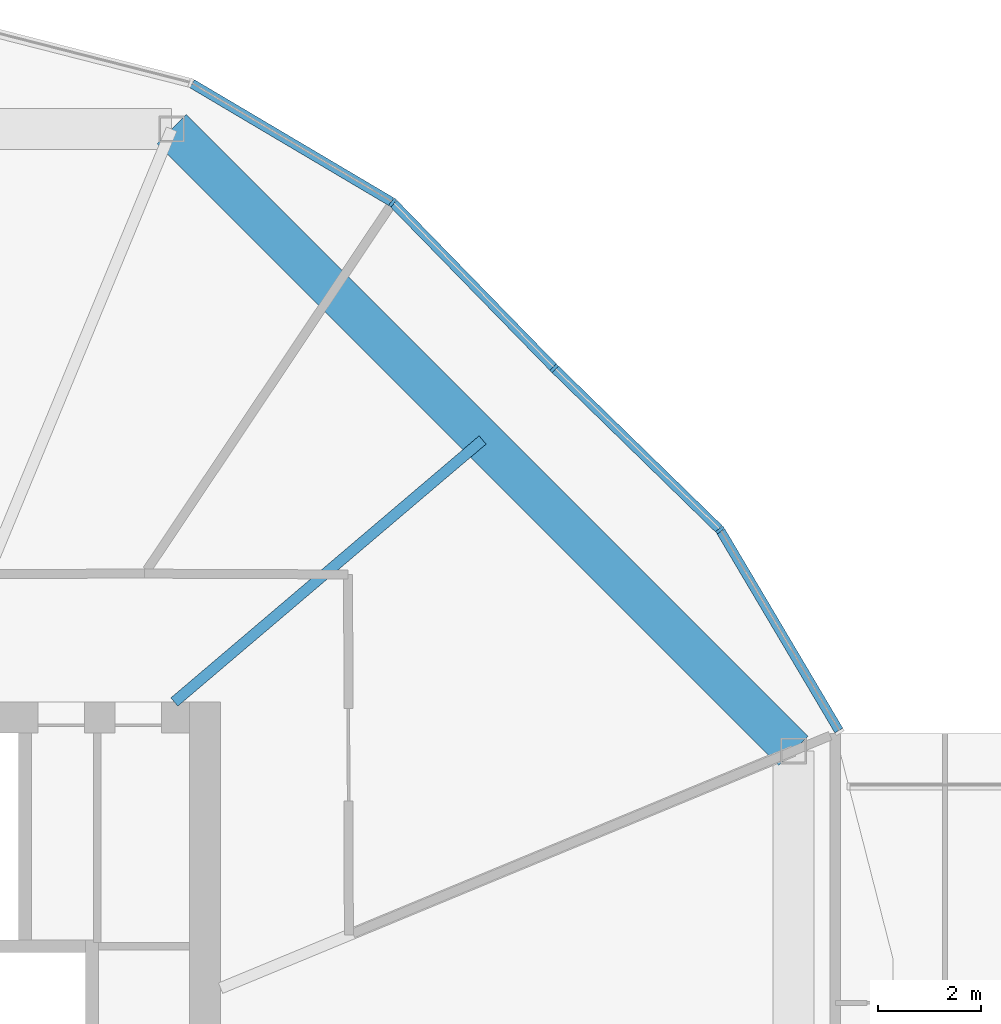
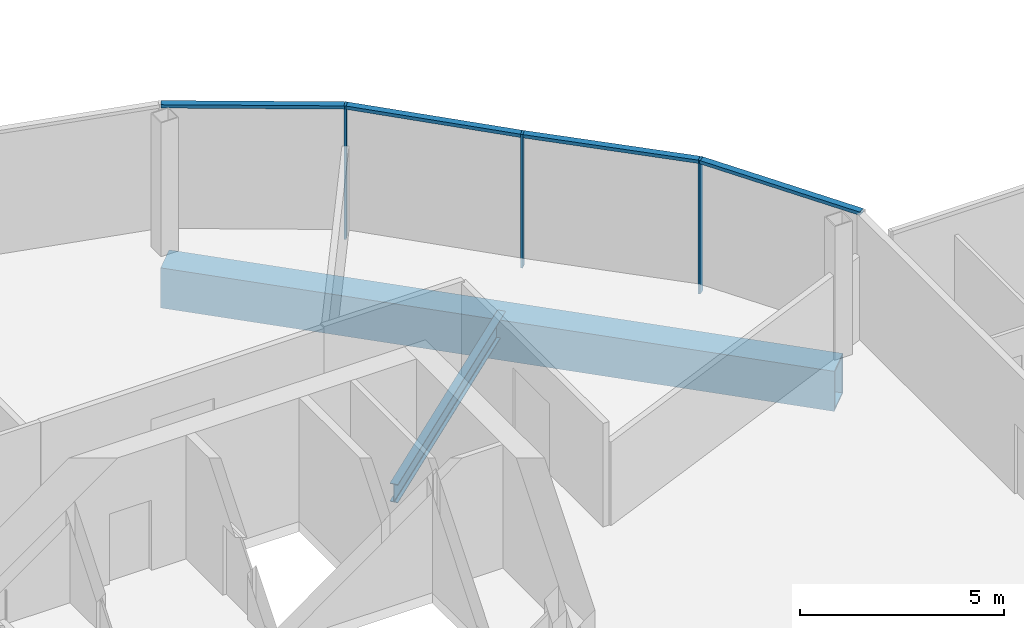
# One storey, part 11 of 26: 7 members, 2 beams, 2 elements without a shape of their own.
"""IFC4 building model written with IfcOpenShell, lengths in metres."""

import ifcopenshell
import ifcopenshell.guid

model = None  # the IFC model being written
_history = None  # IfcOwnerHistory: only IFC2X3 demands one
_inside = {}  # id of a spatial element -> (the spatial element, [elements in it])
_under = {}  # id of a project, library or spatial element -> (it, [spatial elements below it])
_declared = {}  # id of a project -> (the project, [libraries it declares])
_typed = {}  # id of a type object -> (the type object, [elements of that type])
_made_of = {}  # id of a material, layer set ... -> (it, [elements and type objects made of it])


def new_model(schema):
    """Start an empty IFC model of exactly this schema.

    Asked for "IFC4X3", IfcOpenShell would pick the latest addendum, in which some entities
    have other attributes; the version numbers below select the first issue.
    IFC2X3 requires an IfcOwnerHistory on every rooted entity: one is made here for all.
    """
    global model, _history
    if schema == "IFC4X3":
        model = ifcopenshell.file(schema_version=(4, 3, 0, 0))
    else:
        model = ifcopenshell.file(schema=schema)
    _inside.clear()
    _under.clear()
    _declared.clear()
    _typed.clear()
    _made_of.clear()
    _history = None
    if model.schema == "IFC2X3":
        org = make("IfcOrganization", Name="unknown")
        user = make(
            "IfcPersonAndOrganization",
            ThePerson=make("IfcPerson", FamilyName="unknown"),
            TheOrganization=org,
        )
        app = make(
            "IfcApplication",
            ApplicationDeveloper=org,
            Version="unknown",
            ApplicationFullName="unknown",
            ApplicationIdentifier="unknown",
        )
        _history = make(
            "IfcOwnerHistory",
            OwningUser=user,
            OwningApplication=app,
            ChangeAction="ADDED",
            CreationDate=0,
        )
    return model


def make(cls, **values):
    """One entity of the class cls with the attributes given. An attribute that is None is left unset."""
    return model.create_entity(
        cls, **{name: value for name, value in values.items() if value is not None}
    )


def rooted(cls, **values):
    """An entity with a GlobalId (a new one), such as an element, a storey or a relation."""
    return make(cls, GlobalId=ifcopenshell.guid.new(), OwnerHistory=_history, **values)


def si_unit(unit_type, name, prefix=None):
    """IfcSIUnit, for example si_unit("LENGTHUNIT", "METRE", prefix="MILLI")."""
    return make("IfcSIUnit", UnitType=unit_type, Prefix=prefix, Name=name)


def assignment(units):
    """IfcUnitAssignment: the units of a project."""
    return None if units is None else make("IfcUnitAssignment", Units=units)


def point(xyz):
    """IfcCartesianPoint."""
    return None if xyz is None else make("IfcCartesianPoint", Coordinates=xyz)


def direction(xyz):
    """IfcDirection."""
    return None if xyz is None else make("IfcDirection", DirectionRatios=xyz)


def frame(location, z_axis=None, x_axis=None):
    """IfcAxis2Placement3D, a coordinate frame: its origin and axes. An axis left out is left unset."""
    return make(
        "IfcAxis2Placement3D",
        Location=point(location),
        Axis=direction(z_axis),
        RefDirection=direction(x_axis),
    )


def frame_2d(location, x_axis=None):
    """IfcAxis2Placement2D, a coordinate frame in the plane: its origin and x axis."""
    return make(
        "IfcAxis2Placement2D", Location=point(location), RefDirection=direction(x_axis)
    )


def origin():
    """The frame at (0, 0, 0) with its axes left unset."""
    return frame((0.0, 0.0, 0.0))


def origin_2d():
    """The frame at (0, 0) in the plane with its x axis left unset."""
    return frame_2d((0.0, 0.0))


def place(relative_to, where):
    """IfcLocalPlacement: puts the frame where relative to a parent placement (None: the world)."""
    return make(
        "IfcLocalPlacement", PlacementRelTo=relative_to, RelativePlacement=where
    )


def context(
    kind, dimensions, precision=None, world=None, true_north=None, identifier=None
):
    """IfcGeometricRepresentationContext, for example the 3D "Model" context."""
    return make(
        "IfcGeometricRepresentationContext",
        ContextIdentifier=identifier,
        ContextType=kind,
        CoordinateSpaceDimension=dimensions,
        Precision=precision,
        WorldCoordinateSystem=world,
        TrueNorth=true_north,
    )


def subcontext(parent, identifier, kind, view, scale=None):
    """IfcGeometricRepresentationSubContext, for example "Body" below "Model"."""
    return make(
        "IfcGeometricRepresentationSubContext",
        ContextIdentifier=identifier,
        ContextType=kind,
        ParentContext=parent,
        TargetScale=scale,
        TargetView=view,
    )


def project(units=None, contexts=None):
    """IfcProject with its units and contexts."""
    return rooted(
        "IfcProject",
        Name="project",
        RepresentationContexts=contexts,
        UnitsInContext=assignment(units),
    )


def spatial(cls, under=None, at=None, **own):
    """A site, building, storey or space (cls), placed at a placement, below another one or the project."""
    s = rooted(cls, ObjectPlacement=at, **own)
    if under is not None:
        _under.setdefault(under.id(), (under, []))[1].append(s)
    return s


def profile(cls, at=None, kind="AREA", **sizes):
    """A parametric profile (cls). Its sizes go by their IFC names, for example OverallWidth=200.0."""
    return make(cls, ProfileType=kind, Position=at, **sizes)


def rectangle(**sizes):
    """IfcRectangleProfileDef."""
    return profile("IfcRectangleProfileDef", **sizes)


def hollow_rectangle(**sizes):
    """IfcRectangleHollowProfileDef."""
    return profile("IfcRectangleHollowProfileDef", **sizes)


def i_section(**sizes):
    """IfcIShapeProfileDef."""
    return profile("IfcIShapeProfileDef", **sizes)


def extrude(swept, where, along, depth):
    """IfcExtrudedAreaSolid: the profile swept, set in the frame where, extruded along a direction by depth."""
    return make(
        "IfcExtrudedAreaSolid",
        SweptArea=swept,
        Position=where,
        ExtrudedDirection=direction(along),
        Depth=depth,
    )


def shape(context_of_items, identifier, shape_type, items):
    """IfcShapeRepresentation: the items that make up one representation, for example the "Body"."""
    return make(
        "IfcShapeRepresentation",
        ContextOfItems=context_of_items,
        RepresentationIdentifier=identifier,
        RepresentationType=shape_type,
        Items=items,
    )


def material(Name=None, Category=None):
    """IfcMaterial."""
    return make("IfcMaterial", Name=Name, Category=Category)


def material_profile(
    of_material, cross_section, Name=None, Category=None, Priority=None
):
    """IfcMaterialProfile: a cross section and its material."""
    return make(
        "IfcMaterialProfile",
        Name=Name,
        Material=of_material,
        Profile=cross_section,
        Priority=Priority,
        Category=Category,
    )


def profile_set(profiles, Name=None, composite=None):
    """IfcMaterialProfileSet."""
    return make(
        "IfcMaterialProfileSet",
        Name=Name,
        MaterialProfiles=profiles,
        CompositeProfile=composite,
    )


def made_of(thing, what):
    """Note that an element or type object is made of a material, layer set ...; save() writes the relation."""
    if what is not None:
        _made_of.setdefault(what.id(), (what, []))[1].append(thing)
    return thing


def type_object(cls, material=None, **own):
    """A type object (cls), such as IfcWallType, which elements share."""
    return made_of(rooted(cls, **own), material)


def element(
    cls,
    number,
    at=None,
    inside=None,
    cuts=None,
    type_object=None,
    material=None,
    context=None,
    identifier="Body",
    shape_type=None,
    held_by="IfcProductDefinitionShape",
    body=None,
    shapes=None,
    **own,
):
    """One element of the class cls, such as IfcWall. Its Tag is "e" and its number.

    at: its placement. inside: the storey or other place that contains it. cuts: it is an
    opening in that element (IfcRelVoidsElement). A single representation is given by context,
    identifier, shape_type and body (its items); several are given by shapes. held_by: the class
    of the entity that holds the representations. save() writes the other relations.
    """
    e = rooted(cls, Tag="e%d" % number, ObjectPlacement=at, **own)
    if body is not None:
        shapes = [shape(context, identifier, shape_type, body)]
    if shapes is not None:
        e.Representation = make(held_by, Representations=shapes)
    if inside is not None:
        _inside.setdefault(inside.id(), (inside, []))[1].append(e)
    if cuts is not None:
        rooted(
            "IfcRelVoidsElement", RelatingBuildingElement=cuts, RelatedOpeningElement=e
        )
    if type_object is not None:
        _typed.setdefault(type_object.id(), (type_object, []))[1].append(e)
    return made_of(e, material)


def aggregate(whole, parts):
    """IfcRelAggregates: a whole, such as a stair, and the parts it consists of."""
    return rooted("IfcRelAggregates", RelatingObject=whole, RelatedObjects=parts)


def save(model, path):
    """Write the relations noted so far, then the file.

    IfcRelAggregates (storeys below a building ...), IfcRelContainedInSpatialStructure (elements
    in a storey), IfcRelDefinesByType, IfcRelAssociatesMaterial and IfcRelDeclares: one each for
    every whole, place, type object, material and project.
    """
    for whole, parts in _under.values():
        aggregate(whole, parts)
    for where, things in _inside.values():
        rooted(
            "IfcRelContainedInSpatialStructure",
            RelatedElements=things,
            RelatingStructure=where,
        )
    for kind, things in _typed.values():
        rooted("IfcRelDefinesByType", RelatedObjects=things, RelatingType=kind)
    for what, things in _made_of.values():
        rooted("IfcRelAssociatesMaterial", RelatedObjects=things, RelatingMaterial=what)
    for by, libraries in _declared.values():
        rooted("IfcRelDeclares", RelatingContext=by, RelatedDefinitions=libraries)
    model.write(path)


model = new_model("IFC4")

# Units and contexts
model_context = context("Model", 3, precision=1e-05, world=origin(), true_north=direction((0.0, 1.0)))
body_context = subcontext(model_context, "Body", "Model", "MODEL_VIEW")
ifc_project = project(units=[si_unit("LENGTHUNIT", "METRE"), si_unit("AREAUNIT", "SQUARE_METRE"), si_unit("VOLUMEUNIT", "CUBIC_METRE"), si_unit("PLANEANGLEUNIT", "RADIAN"), si_unit("MASSUNIT", "GRAM", prefix="KILO")], contexts=[model_context])

# Site, building, storey
site_placement = place(None, origin())
site = spatial("IfcSite", under=ifc_project, at=site_placement, CompositionType="ELEMENT")
building_placement = place(site_placement, origin())
building = spatial("IfcBuilding", under=site, at=building_placement, Name="Ogive Gate Towers", CompositionType="ELEMENT")
storey_placement = place(building_placement, frame((0.0, 0.0, 148.800048828125)))
storey = spatial("IfcBuildingStorey", under=building, at=storey_placement, Name="L35", CompositionType="ELEMENT", Elevation=148.800048828125)

# Beams
ifc_material_1 = material(Name="Steel SM460", Category="steel")
ifc_material_profile_1 = material_profile(ifc_material_1, hollow_rectangle(XDim=0.800048828125, YDim=1.199951171875, WallThickness=0.050048828125, at=origin_2d()), Name="BX 1200x800x50")
ifc_profile_set_1 = profile_set([ifc_material_profile_1], Name="Steel SM460")
beam_type_1 = type_object("IfcBeamType", Name="Edge girder BX 1200x800x50", PredefinedType="BEAM", material=ifc_profile_set_1)
beam_1_placement = place(storey_placement, frame((-15.360595703125, 8.549072265625, -0.900146484375), z_axis=(-0.707106781187, 0.707106781187, 0.0), x_axis=(-0.707106781187, -0.707106781187, 0.0)))
element("IfcBeam", 1, at=beam_1_placement, inside=storey, type_object=beam_type_1, Name="T1/L35/SBM021", PredefinedType="BEAM", context=body_context, shape_type="SweptSolid", body=[
    extrude(hollow_rectangle(XDim=0.800048828125, YDim=1.199951171875, WallThickness=0.050048828125, at=origin_2d()), origin(), (0.0, 0.0, 1.0), 17.098388671875),
])
ifc_material_2 = material(Name="Steel SM355", Category="steel")
ifc_material_profile_2 = material_profile(ifc_material_2, i_section(OverallWidth=0.2099609375, OverallDepth=0.550048828125, WebThickness=0.010986328125, FlangeThickness=0.01708984375, FilletRadius=0.02392578125, at=origin_2d()), Name="IPE 550")
ifc_profile_set_2 = profile_set([ifc_material_profile_2], Name="Steel SM355")
beam_type_2 = type_object("IfcBeamType", Name="Radial floor beam IPE 550", PredefinedType="BEAM", material=ifc_profile_set_2)
beam_2_placement = place(storey_placement, frame((-27.39990234375, 9.5, -0.574951171875), z_axis=(0.761988324045, 0.647590761222, 0.0), x_axis=(-0.647590761222, 0.761988324045, 0.0)))
element("IfcBeam", 2, at=beam_2_placement, inside=storey, type_object=beam_type_2, Name="T1/L35/SBM010", PredefinedType="BEAM", context=body_context, shape_type="SweptSolid", body=[
    extrude(i_section(OverallWidth=0.2099609375, OverallDepth=0.550048828125, WebThickness=0.010986328125, FlangeThickness=0.01708984375, FilletRadius=0.02392578125, at=origin_2d()), origin(), (0.0, 0.0, 1.0), 7.866455078125),
])

# Curtain wall, members
ifc_material_3 = material(Name="Pale metal aluminium", Category="aluminium")
curtain_wall_type = type_object("IfcCurtainWallType", Name="Tower unitised wall, high zone", PredefinedType="NOTDEFINED", material=ifc_material_3)
curtain_wall_1_placement = place(storey_placement, origin())
curtain_wall_1 = element("IfcCurtainWall", 3, at=curtain_wall_1_placement, inside=storey, type_object=curtain_wall_type, Name="CW2 T1 ECW01", PredefinedType="NOTDEFINED")
ifc_material_profile_3 = material_profile(ifc_material_3, rectangle(XDim=0.179931640625, YDim=0.06005859375, at=origin_2d()), Name="60 x 180 aluminium box")
ifc_profile_set_3 = profile_set([ifc_material_profile_3], Name="Pale metal aluminium")
member_type_1 = type_object("IfcMemberType", Name="Tower unitised wall, high zone mullion 60 x 180", PredefinedType="MULLION", material=ifc_profile_set_3)
member_1_placement = place(storey_placement, frame((-16.7880859375, 12.845458984375, -0.300048828125), z_axis=(0.0, 0.0, 1.0), x_axis=(0.78599718536, 0.618230074168, 0.0)))
member_1 = element("IfcMember", 4, at=member_1_placement, type_object=member_type_1, Name="CW2 mullion", PredefinedType="MULLION", context=body_context, shape_type="SweptSolid", body=[
    extrude(rectangle(XDim=0.179931640625, YDim=0.06005859375, at=origin_2d()), origin(), (0.0, 0.0, 1.0), 4.0),
])
member_2_placement = place(storey_placement, frame((-20.01220703125, 15.987548828125, -0.300048828125), z_axis=(0.0, 0.0, 1.0), x_axis=(0.697977963337, 0.716119237764, 0.0)))
member_2 = element("IfcMember", 5, at=member_2_placement, type_object=member_type_1, Name="CW2 mullion", PredefinedType="MULLION", context=body_context, shape_type="SweptSolid", body=[
    extrude(rectangle(XDim=0.179931640625, YDim=0.06005859375, at=origin_2d()), origin(), (0.0, 0.0, 1.0), 4.0),
])

# Curtain wall, member
curtain_wall_2_placement = place(storey_placement, origin())
curtain_wall_2 = element("IfcCurtainWall", 6, at=curtain_wall_2_placement, inside=storey, type_object=curtain_wall_type, Name="CW2 T1 ECW02", PredefinedType="NOTDEFINED")
member_3_placement = place(storey_placement, frame((-23.154541015625, 19.2119140625, -0.300048828125), z_axis=(0.0, 0.0, 1.0), x_axis=(0.618230074168, 0.78599718536, 0.0)))
member_3 = element("IfcMember", 7, at=member_3_placement, type_object=member_type_1, Name="CW2 mullion", PredefinedType="MULLION", context=body_context, shape_type="SweptSolid", body=[
    extrude(rectangle(XDim=0.179931640625, YDim=0.06005859375, at=origin_2d()), origin(), (0.0, 0.0, 1.0), 4.0),
])

# Member
ifc_material_profile_4 = material_profile(ifc_material_3, rectangle(XDim=0.179931640625, YDim=0.10009765625, at=origin_2d()), Name="100 x 180 aluminium box")
ifc_profile_set_4 = profile_set([ifc_material_profile_4], Name="Pale metal aluminium")
member_type_2 = type_object("IfcMemberType", Name="Tower unitised wall, high zone transom 100 x 180", PredefinedType="USERDEFINED", material=ifc_profile_set_4)
member_4_placement = place(storey_placement, frame((-14.47802734375, 8.9453125, 3.64990234375), z_axis=(-0.509649354625, 0.860382203053, 0.0), x_axis=(-0.860382203053, -0.509649354625, 0.0)))
member_4 = element("IfcMember", 8, at=member_4_placement, type_object=member_type_2, Name="CW2 transom", ObjectType="TRANSOM", PredefinedType="USERDEFINED", context=body_context, shape_type="SweptSolid", body=[
    extrude(rectangle(XDim=0.179931640625, YDim=0.10009765625, at=origin_2d()), origin(), (0.0, 0.0, 1.0), 4.50439453125),
])

member_5_placement = place(storey_placement, frame((-16.808837890625, 12.865478515625, 3.64990234375), z_axis=(-0.716114793558, 0.697982523024, 0.0), x_axis=(-0.697982523024, -0.716114793558, 0.0)))
member_5 = element("IfcMember", 9, at=member_5_placement, type_object=member_type_2, Name="CW2 transom", ObjectType="TRANSOM", PredefinedType="USERDEFINED", context=body_context, shape_type="SweptSolid", body=[
    extrude(rectangle(XDim=0.179931640625, YDim=0.10009765625, at=origin_2d()), origin(), (0.0, 0.0, 1.0), 4.443359375),
])

aggregate(curtain_wall_1, [member_1, member_4, member_2, member_5])

member_6_placement = place(storey_placement, frame((-20.033203125, 16.00927734375, 3.64990234375), z_axis=(-0.697982523024, 0.716114793558, 0.0), x_axis=(-0.716114793558, -0.697982523024, 0.0)))
member_6 = element("IfcMember", 10, at=member_6_placement, type_object=member_type_2, Name="CW2 transom", ObjectType="TRANSOM", PredefinedType="USERDEFINED", context=body_context, shape_type="SweptSolid", body=[
    extrude(rectangle(XDim=0.179931640625, YDim=0.10009765625, at=origin_2d()), origin(), (0.0, 0.0, 1.0), 4.443359375),
])

member_7_placement = place(storey_placement, frame((-23.17919921875, 19.226318359375, 3.64990234375), z_axis=(-0.860382203053, 0.509649354625, 0.0), x_axis=(-0.509649354625, -0.860382203053, 0.0)))
member_7 = element("IfcMember", 11, at=member_7_placement, type_object=member_type_2, Name="CW2 transom", ObjectType="TRANSOM", PredefinedType="USERDEFINED", context=body_context, shape_type="SweptSolid", body=[
    extrude(rectangle(XDim=0.179931640625, YDim=0.10009765625, at=origin_2d()), origin(), (0.0, 0.0, 1.0), 4.50439453125),
])

aggregate(curtain_wall_2, [member_3, member_6, member_7])

save(model, "model.ifc")
